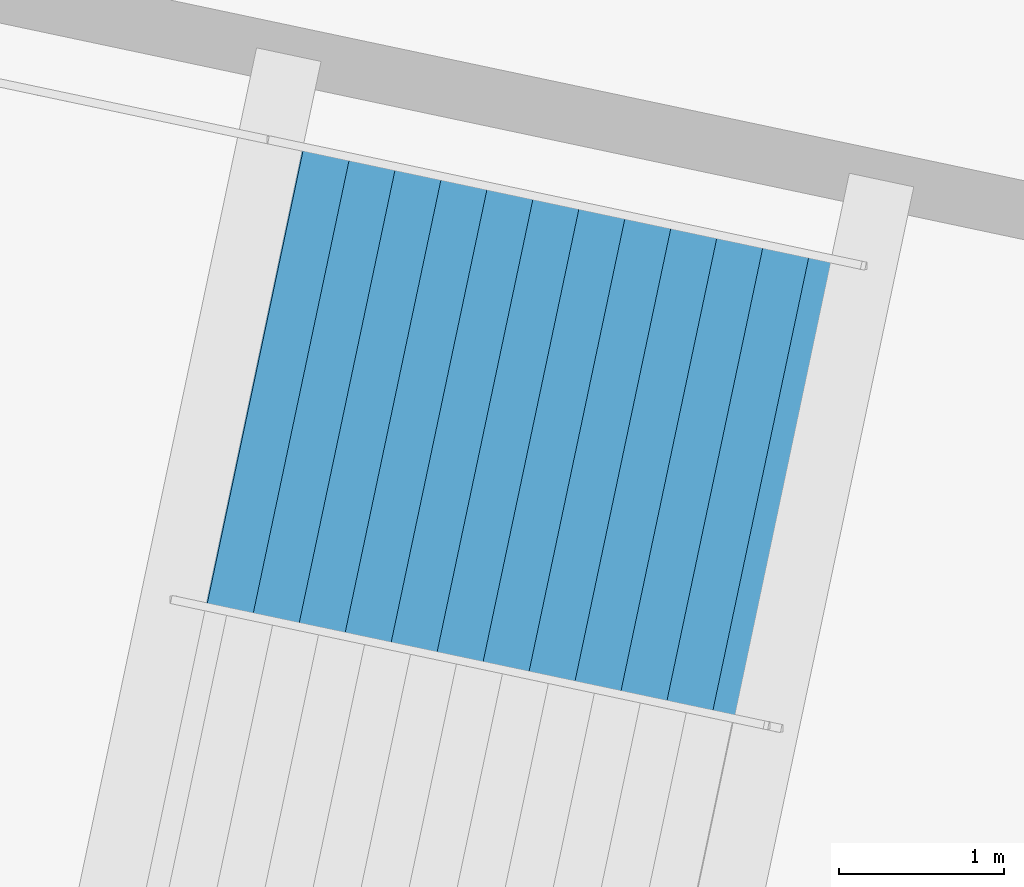
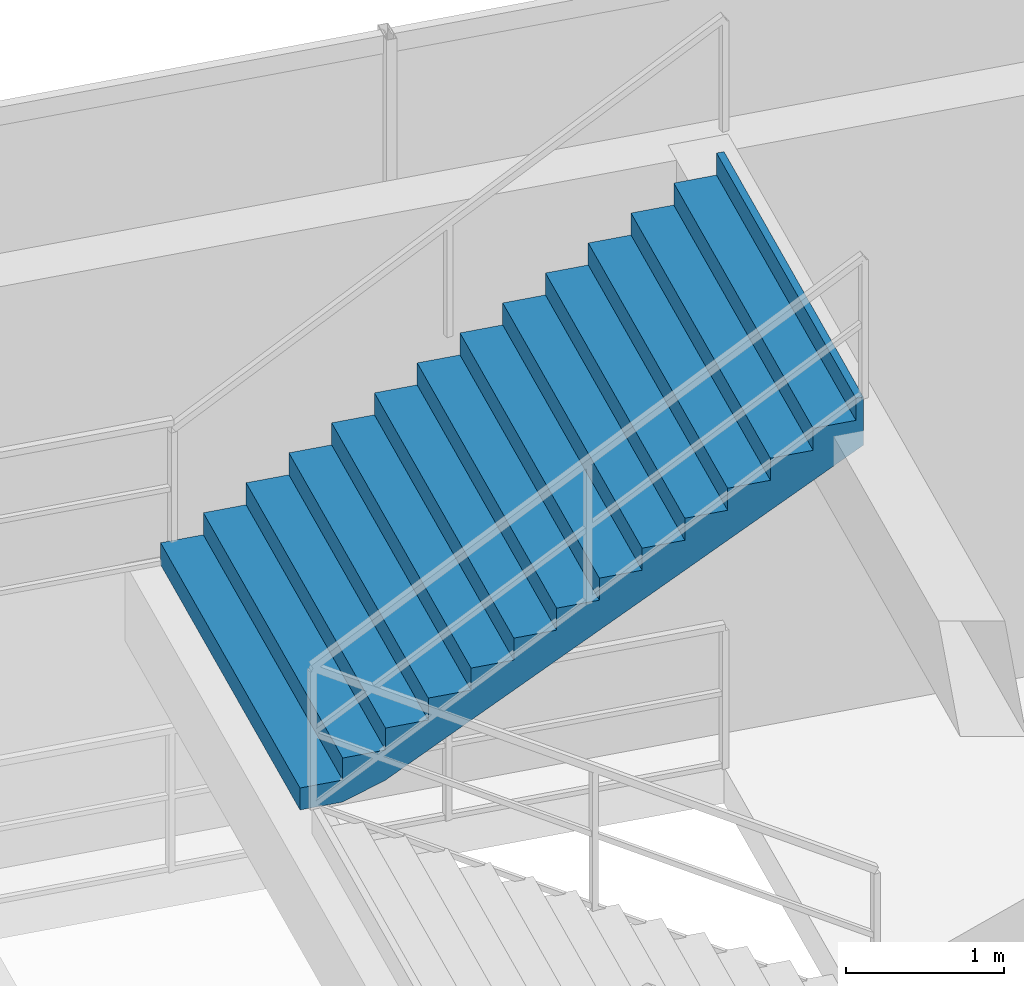
# One storey, part 141 of 156: 1 stair flight, 1 element without a shape of its own.
"""IFC4 building model written with IfcOpenShell, lengths in metres."""

from ifc_helpers import new_model, si_unit, direction, frame, origin, place, context, subcontext, project, spatial, polygons, material, type_object, element, aggregate, save


model = new_model("IFC4")

# Units and contexts
model_context = context("Model", 3, precision=1e-05, world=origin(), true_north=direction((0.0, 1.0)))
body_context = subcontext(model_context, "Body", "Model", "MODEL_VIEW")
ifc_project = project(units=[si_unit("LENGTHUNIT", "METRE"), si_unit("AREAUNIT", "SQUARE_METRE"), si_unit("VOLUMEUNIT", "CUBIC_METRE"), si_unit("PLANEANGLEUNIT", "RADIAN"), si_unit("MASSUNIT", "GRAM", prefix="KILO")], contexts=[model_context])

# Site, building, storey
site_placement = place(None, origin())
site = spatial("IfcSite", under=ifc_project, at=site_placement, CompositionType="ELEMENT")
building_placement = place(site_placement, origin())
building = spatial("IfcBuilding", under=site, at=building_placement, Name="Kazemori Nagisa Stadium", CompositionType="ELEMENT")
storey_placement = place(building_placement, frame((0.0, 0.0, 5.780029296875)))
storey = spatial("IfcBuildingStorey", under=building, at=storey_placement, Name="L01", CompositionType="ELEMENT", Elevation=5.780029296875)

# Stair, stair flight
ifc_material = material(Name="Concrete C36/45 (Fc36)", Category="concrete")
stair_type = type_object("IfcStairType", Name="Stair_CORE_28", PredefinedType="TWO_STRAIGHT_RUN_STAIR", material=ifc_material)
stair_placement = place(storey_placement, origin())
stair = element("IfcStair", 1, at=stair_placement, inside=storey, type_object=stair_type, Name="Exit stair ST11 L01", PredefinedType="TWO_STRAIGHT_RUN_STAIR")
stair_flight_type = type_object("IfcStairFlightType", Name="Flight_CORE_14", PredefinedType="STRAIGHT", material=ifc_material)
stair_flight_placement = place(storey_placement, frame((155.090087890625, 180.046142578125, 2.3798828125), z_axis=(0.0, 0.0, 1.0), x_axis=(0.978345854204, -0.206976785078, 0.0)))
stair_flight = element("IfcStairFlight", 2, at=stair_flight_placement, type_object=stair_flight_type, Name="Exit stair ST11 L01 flight 2", NumberOfRisers=14, NumberOfTreads=13, PredefinedType="STRAIGHT", RiserHeight=0.17, TreadLength=0.285, context=body_context, shape_type="Tessellation", body=[
    polygons([(0.0, -1.425048828125, 0.0), (0.0, -1.425048828125, 0.169921875), (0.284912109375, -1.425048828125, 0.169921875), (0.284912109375, -1.425048828125, 0.340087890625), (0.570068359375, -1.425048828125, 0.340087890625), (0.570068359375, -1.425048828125, 0.510009765625), (0.85498046875, -1.425048828125, 0.510009765625), (0.85498046875, -1.425048828125, 0.679931640625), (1.139892578125, -1.425048828125, 0.679931640625), (1.139892578125, -1.425048828125, 0.85009765625), (1.425048828125, -1.425048828125, 0.85009765625), (1.425048828125, -1.425048828125, 1.02001953125), (1.7099609375, -1.425048828125, 1.02001953125), (1.7099609375, -1.425048828125, 1.18994140625), (1.9951171875, -1.425048828125, 1.18994140625), (1.9951171875, -1.425048828125, 1.360107421875), (2.280029296875, -1.425048828125, 1.360107421875), (2.280029296875, -1.425048828125, 1.530029296875), (2.56494140625, -1.425048828125, 1.530029296875), (2.56494140625, -1.425048828125, 1.699951171875), (2.85009765625, -1.425048828125, 1.699951171875), (2.85009765625, -1.425048828125, 1.8701171875), (3.135009765625, -1.425048828125, 1.8701171875), (3.135009765625, -1.425048828125, 2.0400390625), (3.419921875, -1.425048828125, 2.0400390625), (3.419921875, -1.425048828125, 2.2099609375), (3.705078125, -1.425048828125, 2.2099609375), (3.705078125, -1.425048828125, 2.3798828125), (3.7548828125, -1.425048828125, 2.3798828125), (3.7548828125, -1.425048828125, 2.007080078125), (3.705078125, -1.425048828125, 1.977294921875), (3.419921875, -1.425048828125, 1.80712890625), (3.135009765625, -1.425048828125, 1.63720703125), (2.85009765625, -1.425048828125, 1.46728515625), (2.56494140625, -1.425048828125, 1.297119140625), (2.280029296875, -1.425048828125, 1.127197265625), (1.9951171875, -1.425048828125, 0.957275390625), (1.7099609375, -1.425048828125, 0.787109375), (1.425048828125, -1.425048828125, 0.6171875), (1.139892578125, -1.425048828125, 0.447265625), (0.85498046875, -1.425048828125, 0.277099609375), (0.570068359375, -1.425048828125, 0.107177734375), (0.284912109375, -1.425048828125, 0.0), (0.0, -0.08544921875, 0.0), (0.0, -0.08544921875, 0.169921875), (0.284912109375, -0.08544921875, 0.169921875), (0.284912109375, -0.08544921875, 0.340087890625), (0.570068359375, -0.08544921875, 0.340087890625), (0.570068359375, -0.08544921875, 0.510009765625), (0.85498046875, -0.08544921875, 0.510009765625), (0.85498046875, -0.08544921875, 0.679931640625), (1.139892578125, -0.08544921875, 0.679931640625), (1.139892578125, -0.08544921875, 0.85009765625), (1.425048828125, -0.08544921875, 0.85009765625), (1.425048828125, -0.08544921875, 1.02001953125), (1.7099609375, -0.08544921875, 1.02001953125), (1.7099609375, -0.08544921875, 1.18994140625), (1.9951171875, -0.08544921875, 1.18994140625), (1.9951171875, -0.08544921875, 1.360107421875), (2.280029296875, -0.08544921875, 1.360107421875), (2.280029296875, -0.08544921875, 1.530029296875), (2.56494140625, -0.08544921875, 1.530029296875), (2.56494140625, -0.08544921875, 1.699951171875), (2.85009765625, -0.08544921875, 1.699951171875), (2.85009765625, -0.08544921875, 1.8701171875), (3.135009765625, -0.08544921875, 1.8701171875), (3.135009765625, -0.08544921875, 2.0400390625), (3.419921875, -0.08544921875, 2.0400390625), (3.419921875, -0.08544921875, 2.2099609375), (3.705078125, -0.08544921875, 2.2099609375), (3.705078125, -0.08544921875, 2.3798828125), (3.7548828125, -0.08544921875, 2.3798828125), (3.7548828125, -0.08544921875, 2.007080078125), (3.705078125, -0.08544921875, 1.977294921875), (3.419921875, -0.08544921875, 1.80712890625), (3.135009765625, -0.08544921875, 1.63720703125), (2.85009765625, -0.08544921875, 1.46728515625), (2.56494140625, -0.08544921875, 1.297119140625), (2.280029296875, -0.08544921875, 1.127197265625), (1.9951171875, -0.08544921875, 0.957275390625), (1.7099609375, -0.08544921875, 0.787109375), (1.425048828125, -0.08544921875, 0.6171875), (1.139892578125, -0.08544921875, 0.447265625), (0.85498046875, -0.08544921875, 0.277099609375), (0.570068359375, -0.08544921875, 0.107177734375), (0.284912109375, -0.08544921875, 0.0), (0.0, 0.0, 0.0), (0.0, 0.0, 0.169921875), (0.284912109375, 0.0, 0.169921875), (0.284912109375, 0.0, 0.340087890625), (0.570068359375, 0.0, 0.340087890625), (0.570068359375, 0.0, 0.510009765625), (0.85498046875, 0.0, 0.510009765625), (0.85498046875, 0.0, 0.679931640625), (1.139892578125, 0.0, 0.679931640625), (1.139892578125, 0.0, 0.85009765625), (1.425048828125, 0.0, 0.85009765625), (1.425048828125, 0.0, 1.02001953125), (1.7099609375, 0.0, 1.02001953125), (1.7099609375, 0.0, 1.18994140625), (1.9951171875, 0.0, 1.18994140625), (1.9951171875, 0.0, 1.360107421875), (2.280029296875, 0.0, 1.360107421875), (2.280029296875, 0.0, 1.530029296875), (2.56494140625, 0.0, 1.530029296875), (2.56494140625, 0.0, 1.699951171875), (2.85009765625, 0.0, 1.699951171875), (2.85009765625, 0.0, 1.8701171875), (3.135009765625, 0.0, 1.8701171875), (3.135009765625, 0.0, 2.0400390625), (3.419921875, 0.0, 2.0400390625), (3.419921875, 0.0, 2.2099609375), (3.705078125, 0.0, 2.2099609375), (3.705078125, 0.0, 2.3798828125), (3.7548828125, 0.0, 2.3798828125), (3.7548828125, 0.0, 2.007080078125), (3.705078125, 0.0, 1.977294921875), (3.419921875, 0.0, 1.80712890625), (3.135009765625, 0.0, 1.63720703125), (2.85009765625, 0.0, 1.46728515625), (2.56494140625, 0.0, 1.297119140625), (2.280029296875, 0.0, 1.127197265625), (1.9951171875, 0.0, 0.957275390625), (1.7099609375, 0.0, 0.787109375), (1.425048828125, 0.0, 0.6171875), (1.139892578125, 0.0, 0.447265625), (0.85498046875, 0.0, 0.277099609375), (0.570068359375, 0.0, 0.107177734375), (0.284912109375, 0.0, 0.0), (0.0, 0.08544921875, 0.0), (0.0, 0.08544921875, 0.169921875), (0.284912109375, 0.08544921875, 0.169921875), (0.284912109375, 0.08544921875, 0.340087890625), (0.570068359375, 0.08544921875, 0.340087890625), (0.570068359375, 0.08544921875, 0.510009765625), (0.85498046875, 0.08544921875, 0.510009765625), (0.85498046875, 0.08544921875, 0.679931640625), (1.139892578125, 0.08544921875, 0.679931640625), (1.139892578125, 0.08544921875, 0.85009765625), (1.425048828125, 0.08544921875, 0.85009765625), (1.425048828125, 0.08544921875, 1.02001953125), (1.7099609375, 0.08544921875, 1.02001953125), (1.7099609375, 0.08544921875, 1.18994140625), (1.9951171875, 0.08544921875, 1.18994140625), (1.9951171875, 0.08544921875, 1.360107421875), (2.280029296875, 0.08544921875, 1.360107421875), (2.280029296875, 0.08544921875, 1.530029296875), (2.56494140625, 0.08544921875, 1.530029296875), (2.56494140625, 0.08544921875, 1.699951171875), (2.85009765625, 0.08544921875, 1.699951171875), (2.85009765625, 0.08544921875, 1.8701171875), (3.135009765625, 0.08544921875, 1.8701171875), (3.135009765625, 0.08544921875, 2.0400390625), (3.419921875, 0.08544921875, 2.0400390625), (3.419921875, 0.08544921875, 2.2099609375), (3.705078125, 0.08544921875, 2.2099609375), (3.705078125, 0.08544921875, 2.3798828125), (3.7548828125, 0.08544921875, 2.3798828125), (3.7548828125, 0.08544921875, 2.007080078125), (3.705078125, 0.08544921875, 1.977294921875), (3.419921875, 0.08544921875, 1.80712890625), (3.135009765625, 0.08544921875, 1.63720703125), (2.85009765625, 0.08544921875, 1.46728515625), (2.56494140625, 0.08544921875, 1.297119140625), (2.280029296875, 0.08544921875, 1.127197265625), (1.9951171875, 0.08544921875, 0.957275390625), (1.7099609375, 0.08544921875, 0.787109375), (1.425048828125, 0.08544921875, 0.6171875), (1.139892578125, 0.08544921875, 0.447265625), (0.85498046875, 0.08544921875, 0.277099609375), (0.570068359375, 0.08544921875, 0.107177734375), (0.284912109375, 0.08544921875, 0.0), (0.0, 1.425048828125, 0.0), (0.0, 1.425048828125, 0.169921875), (0.284912109375, 1.425048828125, 0.169921875), (0.284912109375, 1.425048828125, 0.340087890625), (0.570068359375, 1.425048828125, 0.340087890625), (0.570068359375, 1.425048828125, 0.510009765625), (0.85498046875, 1.425048828125, 0.510009765625), (0.85498046875, 1.425048828125, 0.679931640625), (1.139892578125, 1.425048828125, 0.679931640625), (1.139892578125, 1.425048828125, 0.85009765625), (1.425048828125, 1.425048828125, 0.85009765625), (1.425048828125, 1.425048828125, 1.02001953125), (1.7099609375, 1.425048828125, 1.02001953125), (1.7099609375, 1.425048828125, 1.18994140625), (1.9951171875, 1.425048828125, 1.18994140625), (1.9951171875, 1.425048828125, 1.360107421875), (2.280029296875, 1.425048828125, 1.360107421875), (2.280029296875, 1.425048828125, 1.530029296875), (2.56494140625, 1.425048828125, 1.530029296875), (2.56494140625, 1.425048828125, 1.699951171875), (2.85009765625, 1.425048828125, 1.699951171875), (2.85009765625, 1.425048828125, 1.8701171875), (3.135009765625, 1.425048828125, 1.8701171875), (3.135009765625, 1.425048828125, 2.0400390625), (3.419921875, 1.425048828125, 2.0400390625), (3.419921875, 1.425048828125, 2.2099609375), (3.705078125, 1.425048828125, 2.2099609375), (3.705078125, 1.425048828125, 2.3798828125), (3.7548828125, 1.425048828125, 2.3798828125), (3.7548828125, 1.425048828125, 2.007080078125), (3.705078125, 1.425048828125, 1.977294921875), (3.419921875, 1.425048828125, 1.80712890625), (3.135009765625, 1.425048828125, 1.63720703125), (2.85009765625, 1.425048828125, 1.46728515625), (2.56494140625, 1.425048828125, 1.297119140625), (2.280029296875, 1.425048828125, 1.127197265625), (1.9951171875, 1.425048828125, 0.957275390625), (1.7099609375, 1.425048828125, 0.787109375), (1.425048828125, 1.425048828125, 0.6171875), (1.139892578125, 1.425048828125, 0.447265625), (0.85498046875, 1.425048828125, 0.277099609375), (0.570068359375, 1.425048828125, 0.107177734375), (0.284912109375, 1.425048828125, 0.0)], [[[1, 2, 45]], [[1, 45, 44]], [[2, 3, 46]], [[2, 46, 45]], [[3, 4, 47]], [[3, 47, 46]], [[4, 5, 48]], [[4, 48, 47]], [[5, 6, 49]], [[5, 49, 48]], [[6, 7, 50]], [[6, 50, 49]], [[7, 8, 51]], [[7, 51, 50]], [[8, 9, 52]], [[8, 52, 51]], [[9, 10, 53]], [[9, 53, 52]], [[10, 11, 54]], [[10, 54, 53]], [[11, 12, 55]], [[11, 55, 54]], [[12, 13, 56]], [[12, 56, 55]], [[13, 14, 57]], [[13, 57, 56]], [[14, 15, 58]], [[14, 58, 57]], [[15, 16, 59]], [[15, 59, 58]], [[16, 17, 60]], [[16, 60, 59]], [[17, 18, 61]], [[17, 61, 60]], [[18, 19, 62]], [[18, 62, 61]], [[19, 20, 63]], [[19, 63, 62]], [[20, 21, 64]], [[20, 64, 63]], [[21, 22, 65]], [[21, 65, 64]], [[22, 23, 66]], [[22, 66, 65]], [[23, 24, 67]], [[23, 67, 66]], [[24, 25, 68]], [[24, 68, 67]], [[25, 26, 69]], [[25, 69, 68]], [[26, 27, 70]], [[26, 70, 69]], [[27, 28, 71]], [[27, 71, 70]], [[28, 29, 72]], [[28, 72, 71]], [[29, 30, 73]], [[29, 73, 72]], [[30, 31, 74]], [[30, 74, 73]], [[31, 32, 75]], [[31, 75, 74]], [[32, 33, 76]], [[32, 76, 75]], [[33, 34, 77]], [[33, 77, 76]], [[34, 35, 78]], [[34, 78, 77]], [[35, 36, 79]], [[35, 79, 78]], [[36, 37, 80]], [[36, 80, 79]], [[37, 38, 81]], [[37, 81, 80]], [[38, 39, 82]], [[38, 82, 81]], [[39, 40, 83]], [[39, 83, 82]], [[40, 41, 84]], [[40, 84, 83]], [[41, 42, 85]], [[41, 85, 84]], [[42, 43, 86]], [[42, 86, 85]], [[43, 1, 44]], [[43, 44, 86]], [[44, 45, 88]], [[44, 88, 87]], [[45, 46, 89]], [[45, 89, 88]], [[46, 47, 90]], [[46, 90, 89]], [[47, 48, 91]], [[47, 91, 90]], [[48, 49, 92]], [[48, 92, 91]], [[49, 50, 93]], [[49, 93, 92]], [[50, 51, 94]], [[50, 94, 93]], [[51, 52, 95]], [[51, 95, 94]], [[52, 53, 96]], [[52, 96, 95]], [[53, 54, 97]], [[53, 97, 96]], [[54, 55, 98]], [[54, 98, 97]], [[55, 56, 99]], [[55, 99, 98]], [[56, 57, 100]], [[56, 100, 99]], [[57, 58, 101]], [[57, 101, 100]], [[58, 59, 102]], [[58, 102, 101]], [[59, 60, 103]], [[59, 103, 102]], [[60, 61, 104]], [[60, 104, 103]], [[61, 62, 105]], [[61, 105, 104]], [[62, 63, 106]], [[62, 106, 105]], [[63, 64, 107]], [[63, 107, 106]], [[64, 65, 108]], [[64, 108, 107]], [[65, 66, 109]], [[65, 109, 108]], [[66, 67, 110]], [[66, 110, 109]], [[67, 68, 111]], [[67, 111, 110]], [[68, 69, 112]], [[68, 112, 111]], [[69, 70, 113]], [[69, 113, 112]], [[70, 71, 114]], [[70, 114, 113]], [[71, 72, 115]], [[71, 115, 114]], [[72, 73, 116]], [[72, 116, 115]], [[73, 74, 117]], [[73, 117, 116]], [[74, 75, 118]], [[74, 118, 117]], [[75, 76, 119]], [[75, 119, 118]], [[76, 77, 120]], [[76, 120, 119]], [[77, 78, 121]], [[77, 121, 120]], [[78, 79, 122]], [[78, 122, 121]], [[79, 80, 123]], [[79, 123, 122]], [[80, 81, 124]], [[80, 124, 123]], [[81, 82, 125]], [[81, 125, 124]], [[82, 83, 126]], [[82, 126, 125]], [[83, 84, 127]], [[83, 127, 126]], [[84, 85, 128]], [[84, 128, 127]], [[85, 86, 129]], [[85, 129, 128]], [[86, 44, 87]], [[86, 87, 129]], [[87, 88, 131]], [[87, 131, 130]], [[88, 89, 132]], [[88, 132, 131]], [[89, 90, 133]], [[89, 133, 132]], [[90, 91, 134]], [[90, 134, 133]], [[91, 92, 135]], [[91, 135, 134]], [[92, 93, 136]], [[92, 136, 135]], [[93, 94, 137]], [[93, 137, 136]], [[94, 95, 138]], [[94, 138, 137]], [[95, 96, 139]], [[95, 139, 138]], [[96, 97, 140]], [[96, 140, 139]], [[97, 98, 141]], [[97, 141, 140]], [[98, 99, 142]], [[98, 142, 141]], [[99, 100, 143]], [[99, 143, 142]], [[100, 101, 144]], [[100, 144, 143]], [[101, 102, 145]], [[101, 145, 144]], [[102, 103, 146]], [[102, 146, 145]], [[103, 104, 147]], [[103, 147, 146]], [[104, 105, 148]], [[104, 148, 147]], [[105, 106, 149]], [[105, 149, 148]], [[106, 107, 150]], [[106, 150, 149]], [[107, 108, 151]], [[107, 151, 150]], [[108, 109, 152]], [[108, 152, 151]], [[109, 110, 153]], [[109, 153, 152]], [[110, 111, 154]], [[110, 154, 153]], [[111, 112, 155]], [[111, 155, 154]], [[112, 113, 156]], [[112, 156, 155]], [[113, 114, 157]], [[113, 157, 156]], [[114, 115, 158]], [[114, 158, 157]], [[115, 116, 159]], [[115, 159, 158]], [[116, 117, 160]], [[116, 160, 159]], [[117, 118, 161]], [[117, 161, 160]], [[118, 119, 162]], [[118, 162, 161]], [[119, 120, 163]], [[119, 163, 162]], [[120, 121, 164]], [[120, 164, 163]], [[121, 122, 165]], [[121, 165, 164]], [[122, 123, 166]], [[122, 166, 165]], [[123, 124, 167]], [[123, 167, 166]], [[124, 125, 168]], [[124, 168, 167]], [[125, 126, 169]], [[125, 169, 168]], [[126, 127, 170]], [[126, 170, 169]], [[127, 128, 171]], [[127, 171, 170]], [[128, 129, 172]], [[128, 172, 171]], [[129, 87, 130]], [[129, 130, 172]], [[130, 131, 174]], [[130, 174, 173]], [[131, 132, 175]], [[131, 175, 174]], [[132, 133, 176]], [[132, 176, 175]], [[133, 134, 177]], [[133, 177, 176]], [[134, 135, 178]], [[134, 178, 177]], [[135, 136, 179]], [[135, 179, 178]], [[136, 137, 180]], [[136, 180, 179]], [[137, 138, 181]], [[137, 181, 180]], [[138, 139, 182]], [[138, 182, 181]], [[139, 140, 183]], [[139, 183, 182]], [[140, 141, 184]], [[140, 184, 183]], [[141, 142, 185]], [[141, 185, 184]], [[142, 143, 186]], [[142, 186, 185]], [[143, 144, 187]], [[143, 187, 186]], [[144, 145, 188]], [[144, 188, 187]], [[145, 146, 189]], [[145, 189, 188]], [[146, 147, 190]], [[146, 190, 189]], [[147, 148, 191]], [[147, 191, 190]], [[148, 149, 192]], [[148, 192, 191]], [[149, 150, 193]], [[149, 193, 192]], [[150, 151, 194]], [[150, 194, 193]], [[151, 152, 195]], [[151, 195, 194]], [[152, 153, 196]], [[152, 196, 195]], [[153, 154, 197]], [[153, 197, 196]], [[154, 155, 198]], [[154, 198, 197]], [[155, 156, 199]], [[155, 199, 198]], [[156, 157, 200]], [[156, 200, 199]], [[157, 158, 201]], [[157, 201, 200]], [[158, 159, 202]], [[158, 202, 201]], [[159, 160, 203]], [[159, 203, 202]], [[160, 161, 204]], [[160, 204, 203]], [[161, 162, 205]], [[161, 205, 204]], [[162, 163, 206]], [[162, 206, 205]], [[163, 164, 207]], [[163, 207, 206]], [[164, 165, 208]], [[164, 208, 207]], [[165, 166, 209]], [[165, 209, 208]], [[166, 167, 210]], [[166, 210, 209]], [[167, 168, 211]], [[167, 211, 210]], [[168, 169, 212]], [[168, 212, 211]], [[169, 170, 213]], [[169, 213, 212]], [[170, 171, 214]], [[170, 214, 213]], [[171, 172, 215]], [[171, 215, 214]], [[172, 130, 173]], [[172, 173, 215]], [[3, 2, 1]], [[173, 174, 175]], [[43, 3, 1]], [[173, 175, 215]], [[42, 3, 43]], [[215, 175, 214]], [[5, 3, 42]], [[214, 175, 177]], [[5, 4, 3]], [[175, 176, 177]], [[41, 5, 42]], [[214, 177, 213]], [[7, 5, 41]], [[213, 177, 179]], [[7, 6, 5]], [[177, 178, 179]], [[40, 7, 41]], [[213, 179, 212]], [[9, 7, 40]], [[212, 179, 181]], [[9, 8, 7]], [[179, 180, 181]], [[39, 9, 40]], [[212, 181, 211]], [[11, 9, 39]], [[211, 181, 183]], [[11, 10, 9]], [[181, 182, 183]], [[38, 11, 39]], [[211, 183, 210]], [[13, 11, 38]], [[210, 183, 185]], [[13, 12, 11]], [[183, 184, 185]], [[37, 13, 38]], [[210, 185, 209]], [[15, 13, 37]], [[209, 185, 187]], [[15, 14, 13]], [[185, 186, 187]], [[36, 15, 37]], [[209, 187, 208]], [[17, 15, 36]], [[208, 187, 189]], [[17, 16, 15]], [[187, 188, 189]], [[35, 17, 36]], [[208, 189, 207]], [[19, 17, 35]], [[207, 189, 191]], [[19, 18, 17]], [[189, 190, 191]], [[34, 19, 35]], [[207, 191, 206]], [[21, 19, 34]], [[206, 191, 193]], [[21, 20, 19]], [[191, 192, 193]], [[33, 21, 34]], [[206, 193, 205]], [[23, 21, 33]], [[205, 193, 195]], [[23, 22, 21]], [[193, 194, 195]], [[32, 23, 33]], [[205, 195, 204]], [[25, 23, 32]], [[204, 195, 197]], [[25, 24, 23]], [[195, 196, 197]], [[31, 25, 32]], [[204, 197, 203]], [[27, 25, 31]], [[203, 197, 199]], [[27, 26, 25]], [[197, 198, 199]], [[30, 27, 31]], [[203, 199, 202]], [[29, 27, 30]], [[202, 199, 201]], [[29, 28, 27]], [[199, 200, 201]]], closed=True),
])
aggregate(stair, [stair_flight])

save(model, "model.ifc")
